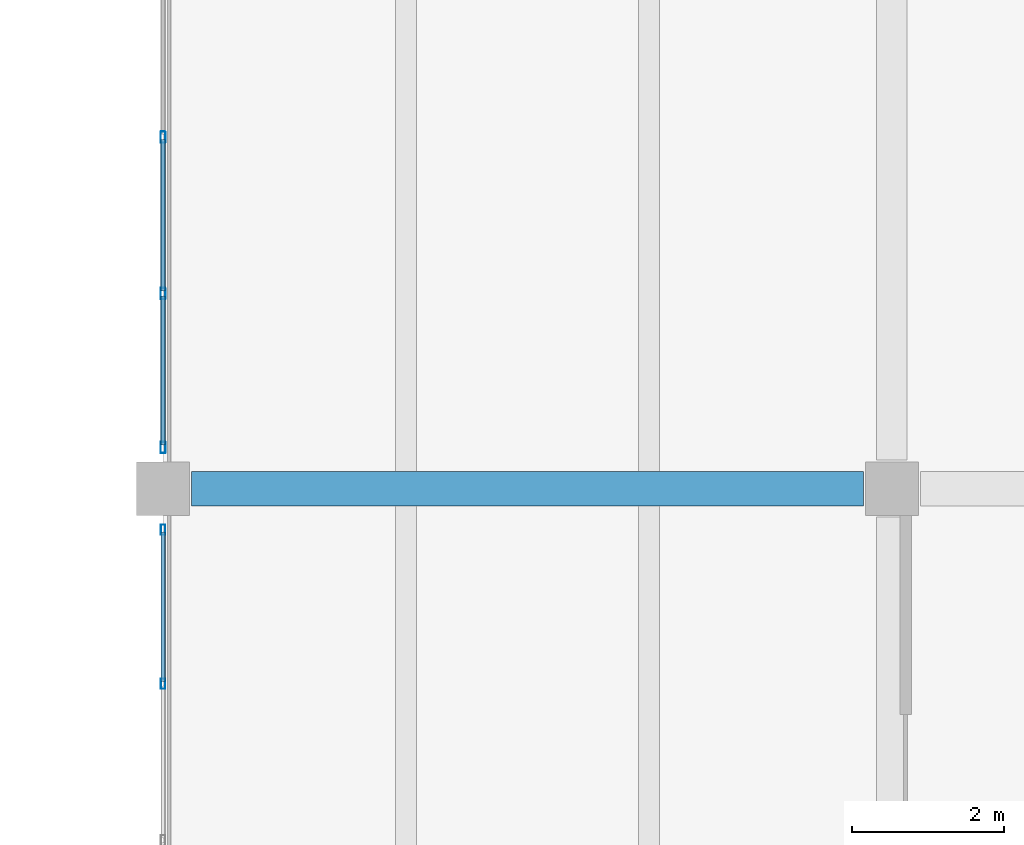
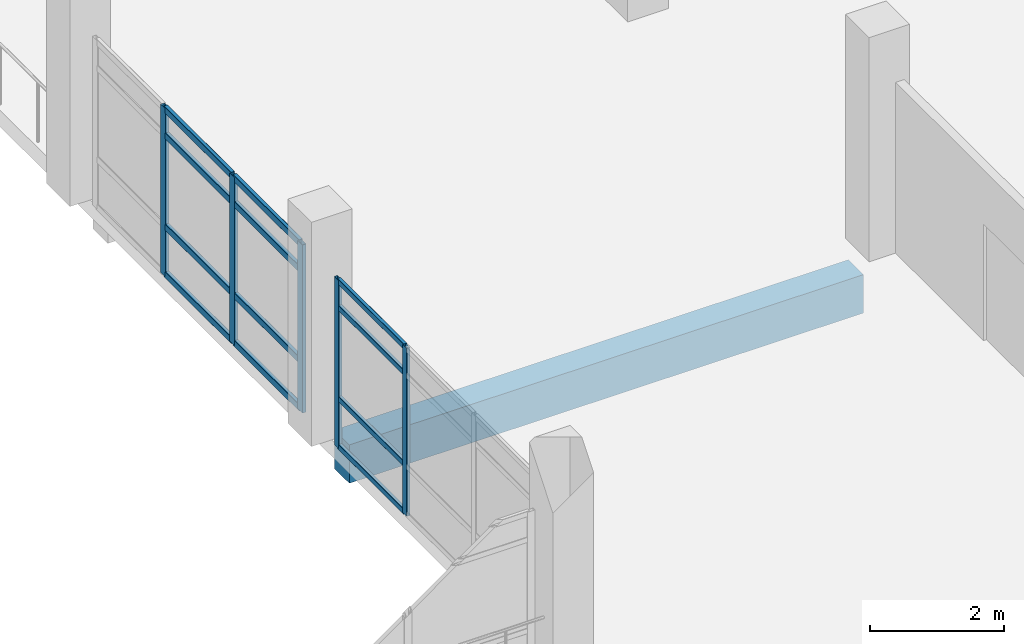
# One storey, part 116 of 180: 17 members, 1 beam, 2 elements without a shape of their own.
"""IFC4 building model written with IfcOpenShell, lengths in metres."""

from ifc_helpers import new_model, si_unit, direction, frame, origin, origin_2d, place, context, subcontext, project, spatial, rectangle, hollow_rectangle, extrude, material, layer, layer_set, material_profile, profile_set, type_object, element, aggregate, save


model = new_model("IFC4")

# Units and contexts
model_context = context("Model", 3, precision=1e-05, world=origin(), true_north=direction((0.0, 1.0)))
body_context = subcontext(model_context, "Body", "Model", "MODEL_VIEW")
ifc_project = project(units=[si_unit("LENGTHUNIT", "METRE"), si_unit("AREAUNIT", "SQUARE_METRE"), si_unit("VOLUMEUNIT", "CUBIC_METRE"), si_unit("PLANEANGLEUNIT", "RADIAN"), si_unit("MASSUNIT", "GRAM", prefix="KILO")], contexts=[model_context])

# Site, building, storey
site_placement = place(None, origin())
site = spatial("IfcSite", under=ifc_project, at=site_placement, CompositionType="ELEMENT")
building_placement = place(site_placement, origin())
building = spatial("IfcBuilding", under=site, at=building_placement, Name="Asteropetra Specialist Clinic", CompositionType="ELEMENT")
storey_placement = place(building_placement, frame((0.0, 0.0, 4.419921875)))
storey = spatial("IfcBuildingStorey", under=building, at=storey_placement, Name="L01", CompositionType="ELEMENT", Elevation=4.419921875)

# Beam
ifc_material_1 = material(Name="Concrete C35/45", Category="concrete")
ifc_material_profile_1 = material_profile(ifc_material_1, rectangle(XDim=0.449951171875, YDim=0.699951171875, at=origin_2d()), Name="RCB 450x700")
ifc_profile_set_1 = profile_set([ifc_material_profile_1], Name="Concrete C35/45")
beam_type = type_object("IfcBeamType", Name="BM-RC450x700", PredefinedType="BEAM", material=ifc_profile_set_1)
beam_placement = place(storey_placement, frame((134.77490234375, 26.39990234375, -0.64990234375), z_axis=(1.0, 0.0, 0.0), x_axis=(0.0, 1.0, 0.0)))
element("IfcBeam", 1, at=beam_placement, inside=storey, type_object=beam_type, Name="Beam BBM05-0415", PredefinedType="BEAM", context=body_context, shape_type="SweptSolid", body=[
    extrude(rectangle(XDim=0.449951171875, YDim=0.699951171875, at=origin_2d()), origin(), (0.0, 0.0, 1.0), 8.85009765625),
])

# Curtain wall, members
ifc_material_2 = material(Name="Aluminium and low-E glass", Category="aluminium")
ifc_layer_1 = layer(ifc_material_2, 0.14990234375)
ifc_layer_set_1 = layer_set([ifc_layer_1], Name="Aluminium and low-E glass")
curtain_wall_type_1 = type_object("IfcCurtainWallType", Name="CW-SYS-11", PredefinedType="USERDEFINED", material=ifc_layer_set_1)
curtain_wall_1_placement = place(storey_placement, origin())
curtain_wall_1 = element("IfcCurtainWall", 2, at=curtain_wall_1_placement, inside=storey, type_object=curtain_wall_type_1, Name="Curtain Wall CW-074", ObjectType="STICK GLAZED COLONNADE", PredefinedType="USERDEFINED")
ifc_material_3 = material(Name="Aluminium 6063-T6", Category="aluminium")
ifc_material_profile_2 = material_profile(ifc_material_3, hollow_rectangle(XDim=0.06005859375, YDim=0.135009765625, WallThickness=0.00341796875, InnerFilletRadius=0.00341796875, OuterFilletRadius=0.007080078125, at=origin_2d()), Name="MUL 135x60x3.5")
ifc_profile_set_2 = profile_set([ifc_material_profile_2], Name="Aluminium 6063-T6")
member_type_1 = type_object("IfcMemberType", Name="CWM-135x60", PredefinedType="MULLION", material=ifc_profile_set_2)
member_1_placement = place(storey_placement, frame((134.39990234375, 23.830078125, 0.0), z_axis=(0.0, 0.0, 1.0), x_axis=(-1.0, 0.0, 0.0)))
member_1 = element("IfcMember", 3, at=member_1_placement, type_object=member_type_1, Name="CW-074 mullion 3", PredefinedType="MULLION", context=body_context, shape_type="SweptSolid", body=[
    extrude(hollow_rectangle(XDim=0.06005859375, YDim=0.135009765625, WallThickness=0.00341796875, InnerFilletRadius=0.00341796875, OuterFilletRadius=0.007080078125, at=origin_2d()), origin(), (0.0, 0.0, 1.0), 3.06005859375),
])
member_2_placement = place(storey_placement, frame((134.39990234375, 25.860107421875, 0.0), z_axis=(0.0, 0.0, 1.0), x_axis=(-1.0, 0.0, 0.0)))
member_2 = element("IfcMember", 4, at=member_2_placement, type_object=member_type_1, Name="CW-074 mullion 4", PredefinedType="MULLION", context=body_context, shape_type="SweptSolid", body=[
    extrude(hollow_rectangle(XDim=0.06005859375, YDim=0.135009765625, WallThickness=0.00341796875, InnerFilletRadius=0.00341796875, OuterFilletRadius=0.007080078125, at=origin_2d()), origin(), (0.0, 0.0, 1.0), 3.06005859375),
])

ifc_material_4 = material(Name="Aluminium and low-E glass", Category="aluminium")
ifc_layer_2 = layer(ifc_material_4, 0.135009765625)
ifc_layer_set_2 = layer_set([ifc_layer_2], Name="Aluminium and low-E glass")
curtain_wall_type_2 = type_object("IfcCurtainWallType", Name="CW-SYS-12", PredefinedType="USERDEFINED", material=ifc_layer_set_2)
curtain_wall_2_placement = place(storey_placement, origin())
curtain_wall_2 = element("IfcCurtainWall", 5, at=curtain_wall_2_placement, inside=storey, type_object=curtain_wall_type_2, Name="Curtain Wall CW-076", ObjectType="STICK GLAZED COLONNADE", PredefinedType="USERDEFINED")
ifc_material_5 = material(Name="Aluminium 6063-T6", Category="aluminium")
ifc_material_profile_3 = material_profile(ifc_material_5, hollow_rectangle(XDim=0.06494140625, YDim=0.14990234375, WallThickness=0.00390625, InnerFilletRadius=0.00390625, OuterFilletRadius=0.008056640625, at=origin_2d()), Name="MUL 150x65x4.0")
ifc_profile_set_3 = profile_set([ifc_material_profile_3], Name="Aluminium 6063-T6")
member_type_2 = type_object("IfcMemberType", Name="CWM-150x65", PredefinedType="MULLION", material=ifc_profile_set_3)
member_3_placement = place(storey_placement, frame((134.39990234375, 26.9423828125, 0.0), z_axis=(0.0, 0.0, 1.0), x_axis=(-1.0, 0.0, 0.0)))
member_3 = element("IfcMember", 6, at=member_3_placement, type_object=member_type_2, Name="CW-076 mullion 1", PredefinedType="MULLION", context=body_context, shape_type="SweptSolid", body=[
    extrude(hollow_rectangle(XDim=0.06494140625, YDim=0.14990234375, WallThickness=0.00390625, InnerFilletRadius=0.00390625, OuterFilletRadius=0.008056640625, at=origin_2d()), origin(), (0.0, 0.0, 1.0), 3.06005859375),
])
member_4_placement = place(storey_placement, frame((134.39990234375, 28.969970703125, 0.0), z_axis=(0.0, 0.0, 1.0), x_axis=(-1.0, 0.0, 0.0)))
member_4 = element("IfcMember", 7, at=member_4_placement, type_object=member_type_2, Name="CW-076 mullion 2", PredefinedType="MULLION", context=body_context, shape_type="SweptSolid", body=[
    extrude(hollow_rectangle(XDim=0.06494140625, YDim=0.14990234375, WallThickness=0.00390625, InnerFilletRadius=0.00390625, OuterFilletRadius=0.008056640625, at=origin_2d()), origin(), (0.0, 0.0, 1.0), 3.06005859375),
])
member_5_placement = place(storey_placement, frame((134.39990234375, 31.030029296875, 0.0), z_axis=(0.0, 0.0, 1.0), x_axis=(-1.0, 0.0, 0.0)))
member_5 = element("IfcMember", 8, at=member_5_placement, type_object=member_type_2, Name="CW-076 mullion 3", PredefinedType="MULLION", context=body_context, shape_type="SweptSolid", body=[
    extrude(hollow_rectangle(XDim=0.06494140625, YDim=0.14990234375, WallThickness=0.00390625, InnerFilletRadius=0.00390625, OuterFilletRadius=0.008056640625, at=origin_2d()), origin(), (0.0, 0.0, 1.0), 3.06005859375),
])

# Member
ifc_material_6 = material(Name="Aluminium 6063-T6", Category="aluminium")
ifc_material_profile_4 = material_profile(ifc_material_6, hollow_rectangle(XDim=0.06005859375, YDim=0.10009765625, WallThickness=0.00341796875, InnerFilletRadius=0.00341796875, OuterFilletRadius=0.007080078125, at=origin_2d()), Name="TRN 100x60x3.5")
ifc_profile_set_4 = profile_set([ifc_material_profile_4], Name="Aluminium 6063-T6")
member_type_3 = type_object("IfcMemberType", Name="CWT-100x60", PredefinedType="USERDEFINED", material=ifc_profile_set_4)
member_6_placement = place(storey_placement, frame((134.39990234375, 23.860107421875, 0.030029296875), z_axis=(0.0, 1.0, 0.0), x_axis=(-1.0, 0.0, 0.0)))
member_6 = element("IfcMember", 9, at=member_6_placement, type_object=member_type_3, Name="CW-074 transom 3.1", ObjectType="TRANSOM", PredefinedType="USERDEFINED", context=body_context, shape_type="SweptSolid", body=[
    extrude(hollow_rectangle(XDim=0.06005859375, YDim=0.10009765625, WallThickness=0.00341796875, InnerFilletRadius=0.00341796875, OuterFilletRadius=0.007080078125, at=origin_2d()), origin(), (0.0, 0.0, 1.0), 1.969970703125),
])

member_7_placement = place(storey_placement, frame((134.39990234375, 23.860107421875, 0.900146484375), z_axis=(0.0, 1.0, 0.0), x_axis=(-1.0, 0.0, 0.0)))
member_7 = element("IfcMember", 10, at=member_7_placement, type_object=member_type_3, Name="CW-074 transom 3.2", ObjectType="TRANSOM", PredefinedType="USERDEFINED", context=body_context, shape_type="SweptSolid", body=[
    extrude(hollow_rectangle(XDim=0.06005859375, YDim=0.10009765625, WallThickness=0.00341796875, InnerFilletRadius=0.00341796875, OuterFilletRadius=0.007080078125, at=origin_2d()), origin(), (0.0, 0.0, 1.0), 1.969970703125),
])

member_8_placement = place(storey_placement, frame((134.39990234375, 23.860107421875, 2.56005859375), z_axis=(0.0, 1.0, 0.0), x_axis=(-1.0, 0.0, 0.0)))
member_8 = element("IfcMember", 11, at=member_8_placement, type_object=member_type_3, Name="CW-074 transom 3.3", ObjectType="TRANSOM", PredefinedType="USERDEFINED", context=body_context, shape_type="SweptSolid", body=[
    extrude(hollow_rectangle(XDim=0.06005859375, YDim=0.10009765625, WallThickness=0.00341796875, InnerFilletRadius=0.00341796875, OuterFilletRadius=0.007080078125, at=origin_2d()), origin(), (0.0, 0.0, 1.0), 1.969970703125),
])

member_9_placement = place(storey_placement, frame((134.39990234375, 23.860107421875, 3.030029296875), z_axis=(0.0, 1.0, 0.0), x_axis=(-1.0, 0.0, 0.0)))
member_9 = element("IfcMember", 12, at=member_9_placement, type_object=member_type_3, Name="CW-074 transom 3.4", ObjectType="TRANSOM", PredefinedType="USERDEFINED", context=body_context, shape_type="SweptSolid", body=[
    extrude(hollow_rectangle(XDim=0.06005859375, YDim=0.10009765625, WallThickness=0.00341796875, InnerFilletRadius=0.00341796875, OuterFilletRadius=0.007080078125, at=origin_2d()), origin(), (0.0, 0.0, 1.0), 1.969970703125),
])

aggregate(curtain_wall_1, [member_1, member_2, member_6, member_7, member_8, member_9])

ifc_material_7 = material(Name="Aluminium 6063-T6", Category="aluminium")
ifc_material_profile_5 = material_profile(ifc_material_7, hollow_rectangle(XDim=0.06494140625, YDim=0.1201171875, WallThickness=0.00390625, InnerFilletRadius=0.00390625, OuterFilletRadius=0.008056640625, at=origin_2d()), Name="TRN 120x65x4.0")
ifc_profile_set_5 = profile_set([ifc_material_profile_5], Name="Aluminium 6063-T6")
member_type_4 = type_object("IfcMemberType", Name="CWT-120x65", PredefinedType="USERDEFINED", material=ifc_profile_set_5)
member_10_placement = place(storey_placement, frame((134.39990234375, 26.97509765625, 0.032470703125), z_axis=(0.0, 1.0, 0.0), x_axis=(-1.0, 0.0, 0.0)))
member_10 = element("IfcMember", 13, at=member_10_placement, type_object=member_type_4, Name="CW-076 transom 1.1", ObjectType="TRANSOM", PredefinedType="USERDEFINED", context=body_context, shape_type="SweptSolid", body=[
    extrude(hollow_rectangle(XDim=0.06494140625, YDim=0.1201171875, WallThickness=0.00390625, InnerFilletRadius=0.00390625, OuterFilletRadius=0.008056640625, at=origin_2d()), origin(), (0.0, 0.0, 1.0), 1.96240234375),
])

member_11_placement = place(storey_placement, frame((134.39990234375, 26.97509765625, 0.900146484375), z_axis=(0.0, 1.0, 0.0), x_axis=(-1.0, 0.0, 0.0)))
member_11 = element("IfcMember", 14, at=member_11_placement, type_object=member_type_4, Name="CW-076 transom 1.2", ObjectType="TRANSOM", PredefinedType="USERDEFINED", context=body_context, shape_type="SweptSolid", body=[
    extrude(hollow_rectangle(XDim=0.06494140625, YDim=0.1201171875, WallThickness=0.00390625, InnerFilletRadius=0.00390625, OuterFilletRadius=0.008056640625, at=origin_2d()), origin(), (0.0, 0.0, 1.0), 1.96240234375),
])

member_12_placement = place(storey_placement, frame((134.39990234375, 26.97509765625, 2.56005859375), z_axis=(0.0, 1.0, 0.0), x_axis=(-1.0, 0.0, 0.0)))
member_12 = element("IfcMember", 15, at=member_12_placement, type_object=member_type_4, Name="CW-076 transom 1.3", ObjectType="TRANSOM", PredefinedType="USERDEFINED", context=body_context, shape_type="SweptSolid", body=[
    extrude(hollow_rectangle(XDim=0.06494140625, YDim=0.1201171875, WallThickness=0.00390625, InnerFilletRadius=0.00390625, OuterFilletRadius=0.008056640625, at=origin_2d()), origin(), (0.0, 0.0, 1.0), 1.96240234375),
])

member_13_placement = place(storey_placement, frame((134.39990234375, 26.97509765625, 3.027587890625), z_axis=(0.0, 1.0, 0.0), x_axis=(-1.0, 0.0, 0.0)))
member_13 = element("IfcMember", 16, at=member_13_placement, type_object=member_type_4, Name="CW-076 transom 1.4", ObjectType="TRANSOM", PredefinedType="USERDEFINED", context=body_context, shape_type="SweptSolid", body=[
    extrude(hollow_rectangle(XDim=0.06494140625, YDim=0.1201171875, WallThickness=0.00390625, InnerFilletRadius=0.00390625, OuterFilletRadius=0.008056640625, at=origin_2d()), origin(), (0.0, 0.0, 1.0), 1.96240234375),
])

member_14_placement = place(storey_placement, frame((134.39990234375, 29.00244140625, 0.032470703125), z_axis=(0.0, 1.0, 0.0), x_axis=(-1.0, 0.0, 0.0)))
member_14 = element("IfcMember", 17, at=member_14_placement, type_object=member_type_4, Name="CW-076 transom 2.1", ObjectType="TRANSOM", PredefinedType="USERDEFINED", context=body_context, shape_type="SweptSolid", body=[
    extrude(hollow_rectangle(XDim=0.06494140625, YDim=0.1201171875, WallThickness=0.00390625, InnerFilletRadius=0.00390625, OuterFilletRadius=0.008056640625, at=origin_2d()), origin(), (0.0, 0.0, 1.0), 1.9951171875),
])

member_15_placement = place(storey_placement, frame((134.39990234375, 29.00244140625, 0.900146484375), z_axis=(0.0, 1.0, 0.0), x_axis=(-1.0, 0.0, 0.0)))
member_15 = element("IfcMember", 18, at=member_15_placement, type_object=member_type_4, Name="CW-076 transom 2.2", ObjectType="TRANSOM", PredefinedType="USERDEFINED", context=body_context, shape_type="SweptSolid", body=[
    extrude(hollow_rectangle(XDim=0.06494140625, YDim=0.1201171875, WallThickness=0.00390625, InnerFilletRadius=0.00390625, OuterFilletRadius=0.008056640625, at=origin_2d()), origin(), (0.0, 0.0, 1.0), 1.9951171875),
])

member_16_placement = place(storey_placement, frame((134.39990234375, 29.00244140625, 2.56005859375), z_axis=(0.0, 1.0, 0.0), x_axis=(-1.0, 0.0, 0.0)))
member_16 = element("IfcMember", 19, at=member_16_placement, type_object=member_type_4, Name="CW-076 transom 2.3", ObjectType="TRANSOM", PredefinedType="USERDEFINED", context=body_context, shape_type="SweptSolid", body=[
    extrude(hollow_rectangle(XDim=0.06494140625, YDim=0.1201171875, WallThickness=0.00390625, InnerFilletRadius=0.00390625, OuterFilletRadius=0.008056640625, at=origin_2d()), origin(), (0.0, 0.0, 1.0), 1.9951171875),
])

member_17_placement = place(storey_placement, frame((134.39990234375, 29.00244140625, 3.027587890625), z_axis=(0.0, 1.0, 0.0), x_axis=(-1.0, 0.0, 0.0)))
member_17 = element("IfcMember", 20, at=member_17_placement, type_object=member_type_4, Name="CW-076 transom 2.4", ObjectType="TRANSOM", PredefinedType="USERDEFINED", context=body_context, shape_type="SweptSolid", body=[
    extrude(hollow_rectangle(XDim=0.06494140625, YDim=0.1201171875, WallThickness=0.00390625, InnerFilletRadius=0.00390625, OuterFilletRadius=0.008056640625, at=origin_2d()), origin(), (0.0, 0.0, 1.0), 1.9951171875),
])

aggregate(curtain_wall_2, [member_3, member_4, member_5, member_10, member_11, member_12, member_13, member_14, member_15, member_16, member_17])

save(model, "model.ifc")
